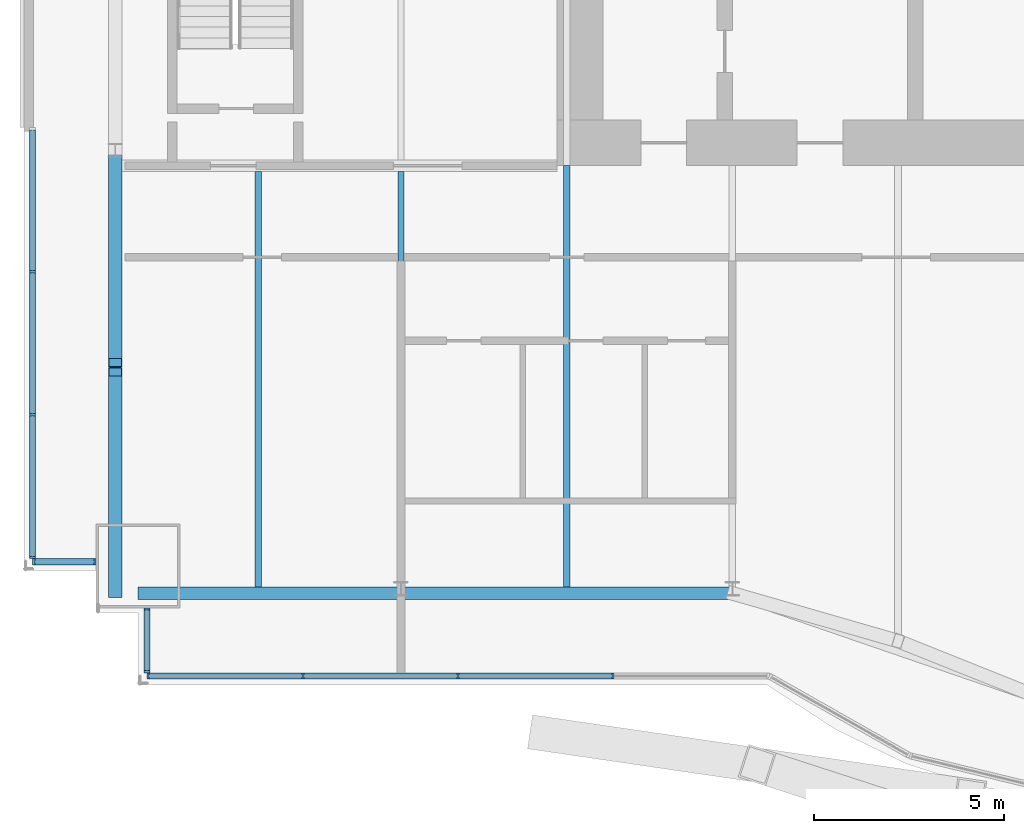
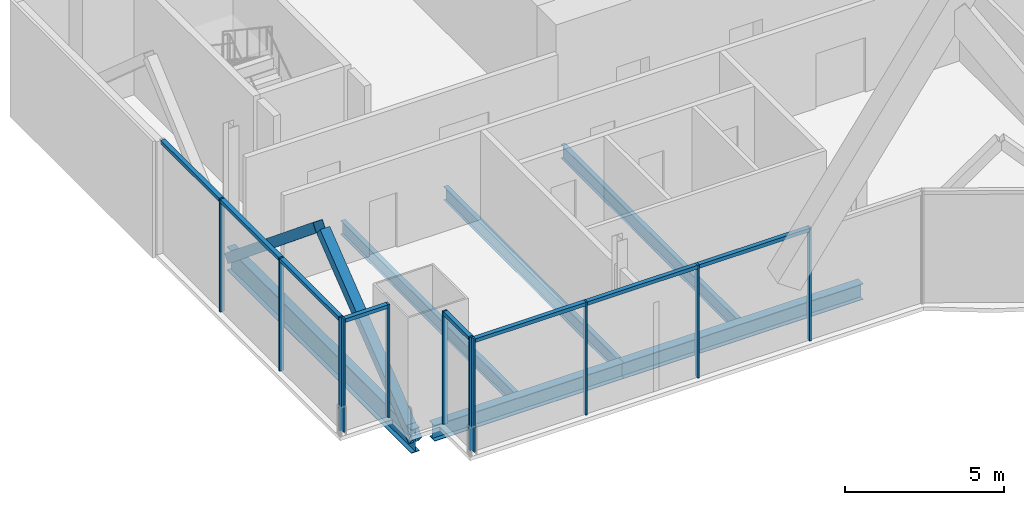
# One storey, part 5 of 20: 21 members, 6 beams, 4 elements without a shape of their own.
"""IFC4 building model written with IfcOpenShell, lengths in metres."""

from ifc_helpers import new_model, si_unit, direction, frame, origin, origin_2d, place, context, subcontext, project, spatial, rectangle, hollow_rectangle, i_section, extrude, material, material_profile, profile_set, type_object, element, aggregate, save


model = new_model("IFC4")

# Units and contexts
model_context = context("Model", 3, precision=1e-05, world=origin(), true_north=direction((0.0, 1.0)))
body_context = subcontext(model_context, "Body", "Model", "MODEL_VIEW")
ifc_project = project(units=[si_unit("LENGTHUNIT", "METRE"), si_unit("AREAUNIT", "SQUARE_METRE"), si_unit("VOLUMEUNIT", "CUBIC_METRE"), si_unit("PLANEANGLEUNIT", "RADIAN"), si_unit("MASSUNIT", "GRAM", prefix="KILO")], contexts=[model_context])

# Site, building, storey
site_placement = place(None, origin())
site = spatial("IfcSite", under=ifc_project, at=site_placement, CompositionType="ELEMENT")
building_placement = place(site_placement, origin())
building = spatial("IfcBuilding", under=site, at=building_placement, Name="Bicima Exchange Tower", CompositionType="ELEMENT")
storey_placement = place(building_placement, frame((0.0, 0.0, 306.5)))
storey = spatial("IfcBuildingStorey", under=building, at=storey_placement, Name="L69", CompositionType="ELEMENT", Elevation=306.5)

# Curtain wall, members
ifc_material_1 = material(Name="Anodised bronze aluminium", Category="aluminium")
curtain_wall_type_1 = type_object("IfcCurtainWallType", Name="End face glass wall", PredefinedType="NOTDEFINED", material=ifc_material_1)
curtain_wall_1_placement = place(storey_placement, origin())
curtain_wall_1 = element("IfcCurtainWall", 1, at=curtain_wall_1_placement, inside=storey, type_object=curtain_wall_type_1, Name="End face glass wall L69 run 2", PredefinedType="NOTDEFINED")
ifc_material_profile_1 = material_profile(ifc_material_1, rectangle(XDim=0.159912109375, YDim=0.06005859375, at=origin_2d()))
ifc_profile_set_1 = profile_set([ifc_material_profile_1], Name="Anodised bronze aluminium")
member_type_1 = type_object("IfcMemberType", Name="End face glass wall mullion 60 x 160", PredefinedType="MULLION", material=ifc_profile_set_1)
member_1_placement = place(storey_placement, frame((-35.77001953125, -15.78271484375, 0.0), z_axis=(0.0, 0.0, 1.0), x_axis=(1.0, 0.0, 0.0)))
member_1 = element("IfcMember", 2, at=member_1_placement, type_object=member_type_1, Name="End face glass wall mullion 2", PredefinedType="MULLION", context=body_context, shape_type="SweptSolid", body=[
    extrude(rectangle(XDim=0.159912109375, YDim=0.06005859375, at=origin_2d()), origin(), (0.0, 0.0, 1.0), 4.35009765625),
])
member_2_placement = place(storey_placement, frame((-35.77001953125, -19.535400390625, 0.0), z_axis=(0.0, 0.0, 1.0), x_axis=(1.0, 0.0, 0.0)))
member_2 = element("IfcMember", 3, at=member_2_placement, type_object=member_type_1, Name="End face glass wall mullion 3", PredefinedType="MULLION", context=body_context, shape_type="SweptSolid", body=[
    extrude(rectangle(XDim=0.159912109375, YDim=0.06005859375, at=origin_2d()), origin(), (0.0, 0.0, 1.0), 4.35009765625),
])
member_3_placement = place(storey_placement, frame((-35.77001953125, -23.2880859375, 0.0), z_axis=(0.0, 0.0, 1.0), x_axis=(1.0, 0.0, 0.0)))
member_3 = element("IfcMember", 4, at=member_3_placement, type_object=member_type_1, Name="End face glass wall mullion 4", PredefinedType="MULLION", context=body_context, shape_type="SweptSolid", body=[
    extrude(rectangle(XDim=0.159912109375, YDim=0.06005859375, at=origin_2d()), origin(), (0.0, 0.0, 1.0), 4.35009765625),
])
ifc_material_profile_2 = material_profile(ifc_material_1, rectangle(XDim=0.159912109375, YDim=0.139892578125, at=origin_2d()))
ifc_profile_set_2 = profile_set([ifc_material_profile_2], Name="Anodised bronze aluminium")
member_type_2 = type_object("IfcMemberType", Name="End face glass wall transom 140 x 160", PredefinedType="USERDEFINED", material=ifc_profile_set_2)
member_4_placement = place(storey_placement, frame((-35.77001953125, -12.06005859375, 4.280029296875), z_axis=(0.0, -1.0, 0.0), x_axis=(1.0, 0.0, 0.0)))
member_4 = element("IfcMember", 5, at=member_4_placement, type_object=member_type_2, Name="End face glass wall transom 1.1", ObjectType="TRANSOM", PredefinedType="USERDEFINED", context=body_context, shape_type="SweptSolid", body=[
    extrude(rectangle(XDim=0.159912109375, YDim=0.139892578125, at=origin_2d()), origin(), (0.0, 0.0, 1.0), 3.692626953125),
])
member_5_placement = place(storey_placement, frame((-35.77001953125, -15.812744140625, 4.280029296875), z_axis=(0.0, -1.0, 0.0), x_axis=(1.0, 0.0, 0.0)))
member_5 = element("IfcMember", 6, at=member_5_placement, type_object=member_type_2, Name="End face glass wall transom 2.1", ObjectType="TRANSOM", PredefinedType="USERDEFINED", context=body_context, shape_type="SweptSolid", body=[
    extrude(rectangle(XDim=0.159912109375, YDim=0.139892578125, at=origin_2d()), origin(), (0.0, 0.0, 1.0), 3.692626953125),
])
member_6_placement = place(storey_placement, frame((-35.77001953125, -19.565185546875, 4.280029296875), z_axis=(0.0, -1.0, 0.0), x_axis=(1.0, 0.0, 0.0)))
member_6 = element("IfcMember", 7, at=member_6_placement, type_object=member_type_2, Name="End face glass wall transom 3.1", ObjectType="TRANSOM", PredefinedType="USERDEFINED", context=body_context, shape_type="SweptSolid", body=[
    extrude(rectangle(XDim=0.159912109375, YDim=0.139892578125, at=origin_2d()), origin(), (0.0, 0.0, 1.0), 3.69287109375),
])
aggregate(curtain_wall_1, [member_1, member_2, member_3, member_4, member_5, member_6])

# Beams
ifc_material_2 = material(Name="Steel ASTM A992 Gr 50", Category="steel")
ifc_material_profile_3 = material_profile(ifc_material_2, i_section(OverallWidth=0.3046875, OverallDepth=0.911865234375, WebThickness=0.015869140625, FlangeThickness=0.02392578125, at=origin_2d()))
ifc_profile_set_3 = profile_set([ifc_material_profile_3], Name="Steel ASTM A992 Gr 50")
beam_type_1 = type_object("IfcBeamType", Name="End girder W36x150", PredefinedType="BEAM", material=ifc_profile_set_3)
beam_1_placement = place(storey_placement, frame((-33.60009765625, -12.60009765625, -0.60595703125), z_axis=(0.0, -1.0, 0.0), x_axis=(1.0, 0.0, 0.0)))
element("IfcBeam", 8, at=beam_1_placement, inside=storey, type_object=beam_type_1, Name="End girder", PredefinedType="BEAM", context=body_context, shape_type="SweptSolid", body=[
    extrude(i_section(OverallWidth=0.3046875, OverallDepth=0.911865234375, WebThickness=0.015869140625, FlangeThickness=0.02392578125, at=origin_2d()), origin(), (0.0, 0.0, 1.0), 11.6279296875),
])
ifc_material_profile_4 = material_profile(ifc_material_2, i_section(OverallWidth=0.165771484375, OverallDepth=0.5283203125, WebThickness=0.009765625, FlangeThickness=0.013671875, at=origin_2d()))
ifc_profile_set_4 = profile_set([ifc_material_profile_4], Name="Steel ASTM A992 Gr 50")
beam_type_2 = type_object("IfcBeamType", Name="Floor beam W21x50", PredefinedType="JOIST", material=ifc_profile_set_4)
for number, where, z_axis, x_axis, name in (
    (9, (-29.85009765625, -13.15234375, -0.414306640625), (0.0, -1.0, 0.0), (1.0, 0.0, 0.0), "Floor beam"),
    (10, (-26.10009765625, -13.15234375, -0.414306640625), (0.0, -1.0, 0.0), (1.0, 0.0, 0.0), "Floor beam"),
):
    element("IfcBeam", number, at=place(storey_placement, frame(where, z_axis=z_axis, x_axis=x_axis)), inside=storey, type_object=beam_type_2, Name=name, PredefinedType="JOIST", context=body_context, shape_type="SweptSolid", body=[
        extrude(i_section(OverallWidth=0.165771484375, OverallDepth=0.5283203125, WebThickness=0.009765625, FlangeThickness=0.013671875, at=origin_2d()), origin(), (0.0, 0.0, 1.0), 10.9130859375),
    ])
beam_2_placement = place(storey_placement, frame((-21.75, -13.0, -0.414306640625), z_axis=(0.0, -1.0, 0.0), x_axis=(1.0, 0.0, 0.0)))
element("IfcBeam", 11, at=beam_2_placement, inside=storey, type_object=beam_type_2, Name="Floor beam", PredefinedType="JOIST", context=body_context, shape_type="SweptSolid", body=[
    extrude(i_section(OverallWidth=0.165771484375, OverallDepth=0.5283203125, WebThickness=0.009765625, FlangeThickness=0.013671875, at=origin_2d()), origin(), (0.0, 0.0, 1.0), 11.0654296875),
])
ifc_material_profile_5 = material_profile(ifc_material_2, i_section(OverallWidth=0.3251953125, OverallDepth=0.612060546875, WebThickness=0.0126953125, FlangeThickness=0.01904296875, at=origin_2d()))
ifc_profile_set_5 = profile_set([ifc_material_profile_5], Name="Steel ASTM A992 Gr 50")
beam_type_3 = type_object("IfcBeamType", Name="Front girder W24x104", PredefinedType="BEAM", material=ifc_profile_set_5)
beam_3_placement = place(storey_placement, frame((-33.0, -24.22802734375, -0.4560546875), z_axis=(1.0, 0.0, 0.0), x_axis=(0.0, 1.0, 0.0)))
element("IfcBeam", 12, at=beam_3_placement, inside=storey, type_object=beam_type_3, Name="Front girder", PredefinedType="BEAM", context=body_context, shape_type="SweptSolid", body=[
    extrude(i_section(OverallWidth=0.3251953125, OverallDepth=0.612060546875, WebThickness=0.0126953125, FlangeThickness=0.01904296875, at=origin_2d()), origin(), (0.0, 0.0, 1.0), 6.89990234375),
])
beam_4_placement = place(storey_placement, frame((-26.10009765625, -24.22802734375, -0.4560546875), z_axis=(1.0, 0.0, 0.0), x_axis=(0.0, 1.0, 0.0)))
element("IfcBeam", 13, at=beam_4_placement, inside=storey, type_object=beam_type_3, Name="Front girder", PredefinedType="BEAM", context=body_context, shape_type="SweptSolid", body=[
    extrude(i_section(OverallWidth=0.3251953125, OverallDepth=0.612060546875, WebThickness=0.0126953125, FlangeThickness=0.01904296875, at=origin_2d()), origin(), (0.0, 0.0, 1.0), 8.7001953125),
])

# Curtain wall, members
curtain_wall_type_2 = type_object("IfcCurtainWallType", Name="Front glass wall", PredefinedType="NOTDEFINED", material=ifc_material_1)
curtain_wall_2_placement = place(storey_placement, origin())
curtain_wall_2 = element("IfcCurtainWall", 14, at=curtain_wall_2_placement, inside=storey, type_object=curtain_wall_type_2, Name="Front glass wall L69 run 3", PredefinedType="NOTDEFINED")
member_type_3 = type_object("IfcMemberType", Name="Front glass wall mullion 60 x 160", PredefinedType="MULLION", material=ifc_profile_set_1)
member_7_placement = place(storey_placement, frame((-35.739990234375, -23.39794921875, 0.0), z_axis=(0.0, 0.0, 1.0), x_axis=(0.0, 1.0, 0.0)))
member_7 = element("IfcMember", 15, at=member_7_placement, type_object=member_type_3, Name="Front glass wall mullion 1", PredefinedType="MULLION", context=body_context, shape_type="SweptSolid", body=[
    extrude(rectangle(XDim=0.159912109375, YDim=0.06005859375, at=origin_2d()), origin(), (0.0, 0.0, 1.0), 4.35009765625),
])
member_8_placement = place(storey_placement, frame((-34.1298828125, -23.39794921875, 0.0), z_axis=(0.0, 0.0, 1.0), x_axis=(0.0, 1.0, 0.0)))
member_8 = element("IfcMember", 16, at=member_8_placement, type_object=member_type_3, Name="Front glass wall mullion 2", PredefinedType="MULLION", context=body_context, shape_type="SweptSolid", body=[
    extrude(rectangle(XDim=0.159912109375, YDim=0.06005859375, at=origin_2d()), origin(), (0.0, 0.0, 1.0), 4.35009765625),
])

curtain_wall_3_placement = place(storey_placement, origin())
curtain_wall_3 = element("IfcCurtainWall", 17, at=curtain_wall_3_placement, inside=storey, type_object=curtain_wall_type_2, Name="Front glass wall L69 run 4", PredefinedType="NOTDEFINED")
member_9_placement = place(storey_placement, frame((-32.77001953125, -24.635986328125, 0.0), z_axis=(0.0, 0.0, 1.0), x_axis=(1.0, 0.0, 0.0)))
member_9 = element("IfcMember", 18, at=member_9_placement, type_object=member_type_3, Name="Front glass wall mullion 1", PredefinedType="MULLION", context=body_context, shape_type="SweptSolid", body=[
    extrude(rectangle(XDim=0.159912109375, YDim=0.06005859375, at=origin_2d()), origin(), (0.0, 0.0, 1.0), 4.35009765625),
])
member_10_placement = place(storey_placement, frame((-32.77001953125, -26.2880859375, 0.0), z_axis=(0.0, 0.0, 1.0), x_axis=(1.0, 0.0, 0.0)))
member_10 = element("IfcMember", 19, at=member_10_placement, type_object=member_type_3, Name="Front glass wall mullion 2", PredefinedType="MULLION", context=body_context, shape_type="SweptSolid", body=[
    extrude(rectangle(XDim=0.159912109375, YDim=0.06005859375, at=origin_2d()), origin(), (0.0, 0.0, 1.0), 4.35009765625),
])

curtain_wall_4_placement = place(storey_placement, origin())
curtain_wall_4 = element("IfcCurtainWall", 20, at=curtain_wall_4_placement, inside=storey, type_object=curtain_wall_type_2, Name="Front glass wall L69 run 5", PredefinedType="NOTDEFINED")
member_11_placement = place(storey_placement, frame((-32.739990234375, -26.39794921875, 0.0), z_axis=(0.0, 0.0, 1.0), x_axis=(0.0, 1.0, 0.0)))
member_11 = element("IfcMember", 21, at=member_11_placement, type_object=member_type_3, Name="Front glass wall mullion 1", PredefinedType="MULLION", context=body_context, shape_type="SweptSolid", body=[
    extrude(rectangle(XDim=0.159912109375, YDim=0.06005859375, at=origin_2d()), origin(), (0.0, 0.0, 1.0), 4.35009765625),
])
member_12_placement = place(storey_placement, frame((-28.67041015625, -26.39794921875, 0.0), z_axis=(0.0, 0.0, 1.0), x_axis=(0.0, 1.0, 0.0)))
member_12 = element("IfcMember", 22, at=member_12_placement, type_object=member_type_3, Name="Front glass wall mullion 2", PredefinedType="MULLION", context=body_context, shape_type="SweptSolid", body=[
    extrude(rectangle(XDim=0.159912109375, YDim=0.06005859375, at=origin_2d()), origin(), (0.0, 0.0, 1.0), 4.35009765625),
])
member_13_placement = place(storey_placement, frame((-24.60107421875, -26.39794921875, 0.0), z_axis=(0.0, 0.0, 1.0), x_axis=(0.0, 1.0, 0.0)))
member_13 = element("IfcMember", 23, at=member_13_placement, type_object=member_type_3, Name="Front glass wall mullion 3", PredefinedType="MULLION", context=body_context, shape_type="SweptSolid", body=[
    extrude(rectangle(XDim=0.159912109375, YDim=0.06005859375, at=origin_2d()), origin(), (0.0, 0.0, 1.0), 4.35009765625),
])
member_14_placement = place(storey_placement, frame((-20.531494140625, -26.39794921875, 0.0), z_axis=(0.0, 0.0, 1.0), x_axis=(0.0, 1.0, 0.0)))
member_14 = element("IfcMember", 24, at=member_14_placement, type_object=member_type_3, Name="Front glass wall mullion 4", PredefinedType="MULLION", context=body_context, shape_type="SweptSolid", body=[
    extrude(rectangle(XDim=0.159912109375, YDim=0.06005859375, at=origin_2d()), origin(), (0.0, 0.0, 1.0), 4.35009765625),
])

# Member
member_type_4 = type_object("IfcMemberType", Name="Front glass wall transom 140 x 160", PredefinedType="USERDEFINED", material=ifc_profile_set_2)
member_15_placement = place(storey_placement, frame((-35.7099609375, -23.39794921875, 4.280029296875), z_axis=(1.0, 0.0, 0.0), x_axis=(0.0, 1.0, 0.0)))
member_15 = element("IfcMember", 25, at=member_15_placement, type_object=member_type_4, Name="Front glass wall transom 1.1", ObjectType="TRANSOM", PredefinedType="USERDEFINED", context=body_context, shape_type="SweptSolid", body=[
    extrude(rectangle(XDim=0.159912109375, YDim=0.139892578125, at=origin_2d()), origin(), (0.0, 0.0, 1.0), 1.550048828125),
])

aggregate(curtain_wall_2, [member_7, member_8, member_15])

member_16_placement = place(storey_placement, frame((-32.77001953125, -24.666015625, 4.280029296875), z_axis=(0.0, -1.0, 0.0), x_axis=(1.0, 0.0, 0.0)))
member_16 = element("IfcMember", 26, at=member_16_placement, type_object=member_type_4, Name="Front glass wall transom 1.1", ObjectType="TRANSOM", PredefinedType="USERDEFINED", context=body_context, shape_type="SweptSolid", body=[
    extrude(rectangle(XDim=0.159912109375, YDim=0.139892578125, at=origin_2d()), origin(), (0.0, 0.0, 1.0), 1.592041015625),
])

aggregate(curtain_wall_3, [member_9, member_10, member_16])

member_17_placement = place(storey_placement, frame((-32.7099609375, -26.39794921875, 4.280029296875), z_axis=(1.0, 0.0, 0.0), x_axis=(0.0, 1.0, 0.0)))
member_17 = element("IfcMember", 27, at=member_17_placement, type_object=member_type_4, Name="Front glass wall transom 1.1", ObjectType="TRANSOM", PredefinedType="USERDEFINED", context=body_context, shape_type="SweptSolid", body=[
    extrude(rectangle(XDim=0.159912109375, YDim=0.139892578125, at=origin_2d()), origin(), (0.0, 0.0, 1.0), 4.009521484375),
])

member_18_placement = place(storey_placement, frame((-28.640380859375, -26.39794921875, 4.280029296875), z_axis=(1.0, 0.0, 0.0), x_axis=(0.0, 1.0, 0.0)))
member_18 = element("IfcMember", 28, at=member_18_placement, type_object=member_type_4, Name="Front glass wall transom 2.1", ObjectType="TRANSOM", PredefinedType="USERDEFINED", context=body_context, shape_type="SweptSolid", body=[
    extrude(rectangle(XDim=0.159912109375, YDim=0.139892578125, at=origin_2d()), origin(), (0.0, 0.0, 1.0), 4.00927734375),
])

member_19_placement = place(storey_placement, frame((-24.571044921875, -26.39794921875, 4.280029296875), z_axis=(1.0, 0.0, 0.0), x_axis=(0.0, 1.0, 0.0)))
member_19 = element("IfcMember", 29, at=member_19_placement, type_object=member_type_4, Name="Front glass wall transom 3.1", ObjectType="TRANSOM", PredefinedType="USERDEFINED", context=body_context, shape_type="SweptSolid", body=[
    extrude(rectangle(XDim=0.159912109375, YDim=0.139892578125, at=origin_2d()), origin(), (0.0, 0.0, 1.0), 4.009521484375),
])

aggregate(curtain_wall_4, [member_11, member_12, member_13, member_14, member_17, member_18, member_19])

# Members
ifc_material_3 = material(Name="Steel ASTM A572 Gr 50", Category="steel")
ifc_material_profile_6 = material_profile(ifc_material_3, hollow_rectangle(XDim=0.355712890625, YDim=0.355712890625, WallThickness=0.01171875, at=origin_2d()))
ifc_profile_set_6 = profile_set([ifc_material_profile_6], Name="Steel ASTM A572 Gr 50")
member_type_5 = type_object("IfcMemberType", Name="Mega brace HSS14x14x1/2", PredefinedType="BRACE", material=ifc_profile_set_6)
member_20_placement = place(storey_placement, frame((-33.60009765625, -12.60009765625, -0.60595703125), z_axis=(0.0, -0.773092969854, 0.634292724192), x_axis=(1.0, 0.0, 0.0)))
element("IfcMember", 30, at=member_20_placement, inside=storey, type_object=member_type_5, Name="Mega brace west end", PredefinedType="BRACE", context=body_context, shape_type="SweptSolid", body=[
    extrude(hollow_rectangle(XDim=0.355712890625, YDim=0.355712890625, WallThickness=0.01171875, at=origin_2d()), origin(), (0.0, 0.0, 1.0), 7.20458984375),
])
member_21_placement = place(storey_placement, frame((-33.60009765625, -24.22802734375, -0.60595703125), z_axis=(0.0, 0.786206055888, 0.61796443076), x_axis=(-1.0, 0.0, 0.0)))
element("IfcMember", 31, at=member_21_placement, inside=storey, type_object=member_type_5, Name="Mega brace west end", PredefinedType="BRACE", context=body_context, shape_type="SweptSolid", body=[
    extrude(hollow_rectangle(XDim=0.355712890625, YDim=0.355712890625, WallThickness=0.01171875, at=origin_2d()), origin(), (0.0, 0.0, 1.0), 7.39501953125),
])

save(model, "model.ifc")
